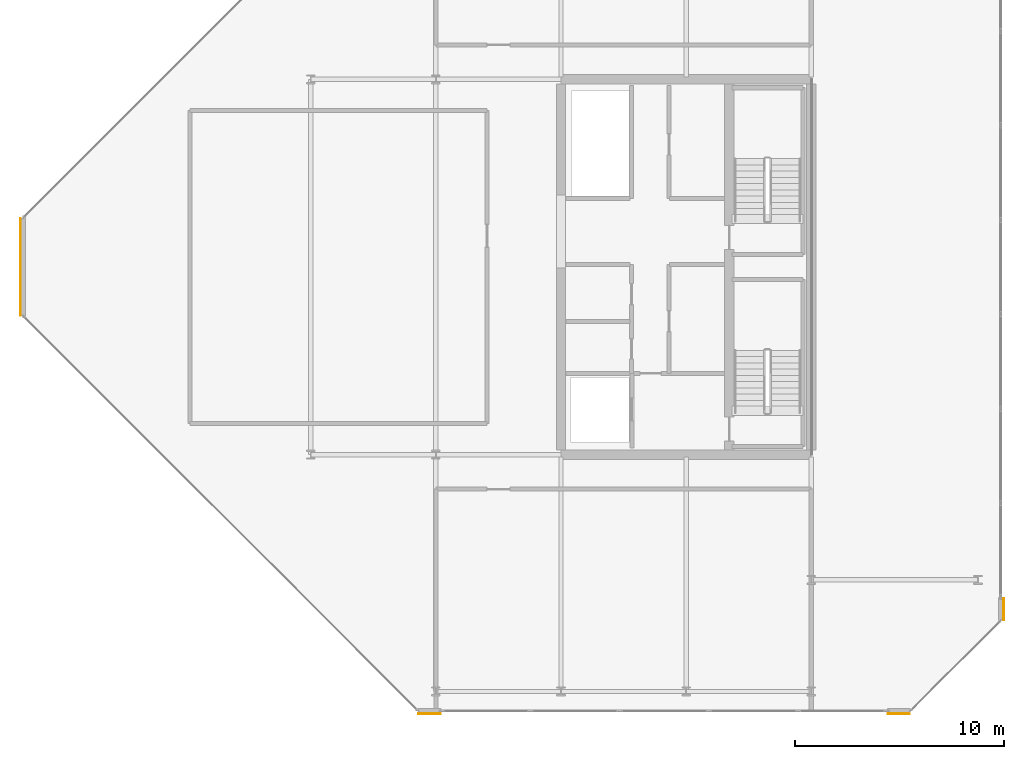
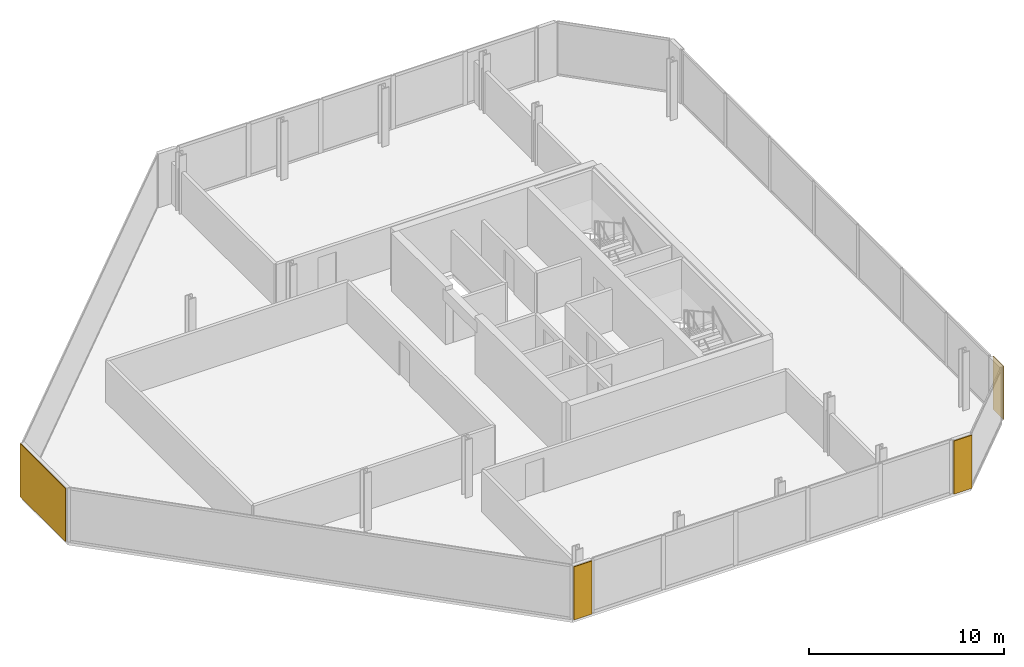
# One storey, part 15 of 16: 4 coverings.
"""IFC4 building model written with IfcOpenShell, lengths in metres."""

from ifc_helpers import new_model, si_unit, direction, frame, origin, origin_2d, place, context, subcontext, project, spatial, rectangle, extrude, material, layer, layer_set, type_object, element, save


model = new_model("IFC4")

# Units and contexts
model_context = context("Model", 3, precision=1e-05, world=origin(), true_north=direction((0.0, 1.0)))
body_context = subcontext(model_context, "Body", "Model", "MODEL_VIEW")
ifc_project = project(units=[si_unit("LENGTHUNIT", "METRE"), si_unit("AREAUNIT", "SQUARE_METRE"), si_unit("VOLUMEUNIT", "CUBIC_METRE"), si_unit("PLANEANGLEUNIT", "RADIAN"), si_unit("MASSUNIT", "GRAM", prefix="KILO")], contexts=[model_context])

# Site, building, storey
site_placement = place(None, origin())
site = spatial("IfcSite", under=ifc_project, at=site_placement, CompositionType="ELEMENT")
building_placement = place(site_placement, origin())
building = spatial("IfcBuilding", under=site, at=building_placement, Name="Tanjung Sevakor Pilgrim Tower", CompositionType="ELEMENT")
storey_placement = place(building_placement, frame((0.0, 0.0, 275.219970703125)))
storey = spatial("IfcBuildingStorey", under=building, at=storey_placement, Name="L77", CompositionType="ELEMENT", Elevation=275.219970703125)

# Coverings
ifc_material = material(Name="Reconstructed Limestone Cladding", Category="masonry")
ifc_layer = layer(ifc_material, 0.044921875)
ifc_layer_set = layer_set([ifc_layer], Name="COV-CLAD-LIMESTONE")
covering_type = type_object("IfcCoveringType", Name="COV-CLAD-LIMESTONE", PredefinedType="CLADDING", material=ifc_layer_set)
for number, where, z_axis, x_axis, name in (
    (1, (71.695556640625, 12.177490234375, 0.02001953125), (0.0, 0.0, 1.0), (1.0, 0.0, 0.0), "L77 Warm Limestone Wall Cladding EW-CRN1-L77-EAST-0-1"),
    (2, (94.204345703125, 12.177490234375, 0.02001953125), (0.0, 0.0, 1.0), (1.0, 0.0, 0.0), "L77 Warm Limestone Wall Cladding EW-CRN2-L77-EAST-0-1"),
    (3, (99.222412109375, 17.195556640625, 0.02001953125), (0.0, 0.0, 1.0), (0.0, 1.0, 0.0), "L77 Warm Limestone Wall Cladding EW-CRN1-L77-EAST-2-1"),
):
    element("IfcCovering", number, at=place(storey_placement, frame(where, z_axis=z_axis, x_axis=x_axis)), inside=storey, type_object=covering_type, Name=name, PredefinedType="CLADDING", context=body_context, shape_type="SweptSolid", body=[
        extrude(rectangle(XDim=1.06005859375, YDim=0.044921875, at=origin_2d()), origin(), (0.0, 0.0, 1.0), 3.330078125),
    ])
covering_placement = place(storey_placement, frame((52.077392578125, 33.60009765625, 0.02001953125), z_axis=(0.0, 0.0, 1.0), x_axis=(0.0, -1.0, 0.0)))
element("IfcCovering", 4, at=covering_placement, inside=storey, type_object=covering_type, Name="L77 Warm Limestone Wall Cladding EW-L77-EAST-7", PredefinedType="CLADDING", context=body_context, shape_type="SweptSolid", body=[
    extrude(rectangle(XDim=4.668701171875, YDim=0.044921875, at=origin_2d()), origin(), (0.0, 0.0, 1.0), 3.330078125),
])

save(model, "model.ifc")
